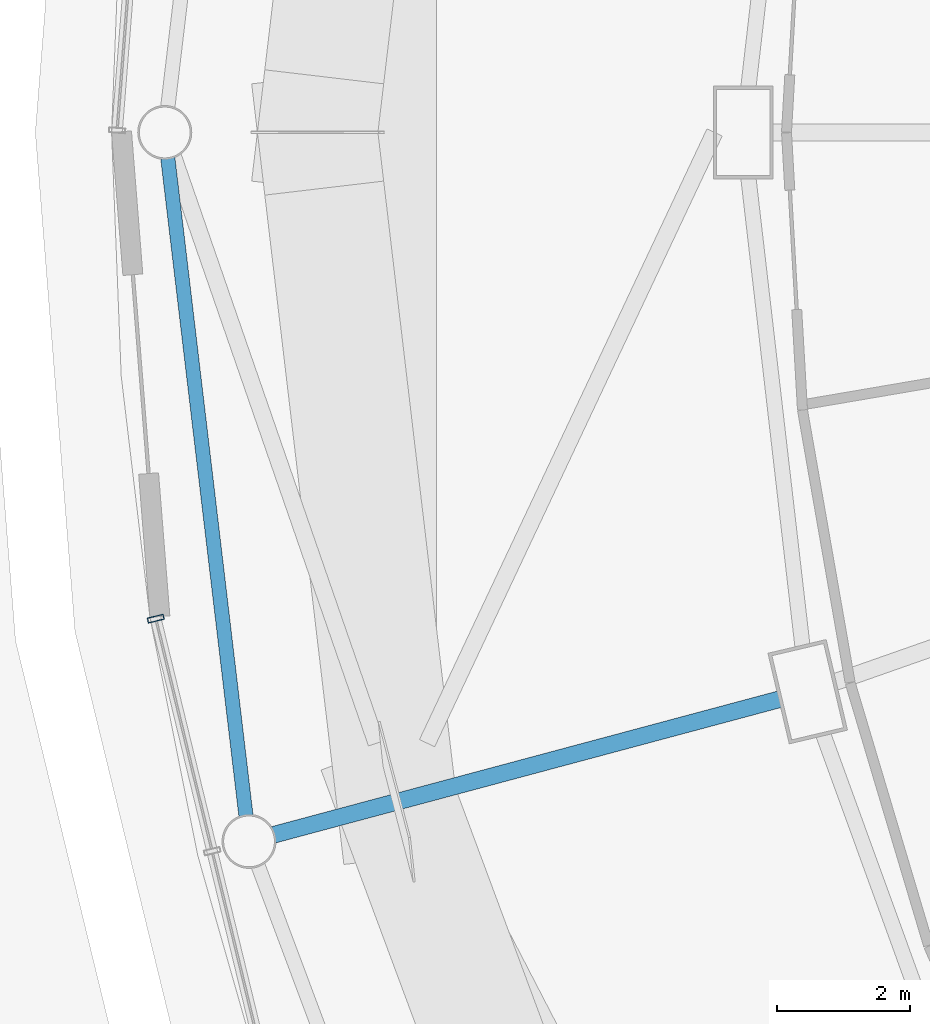
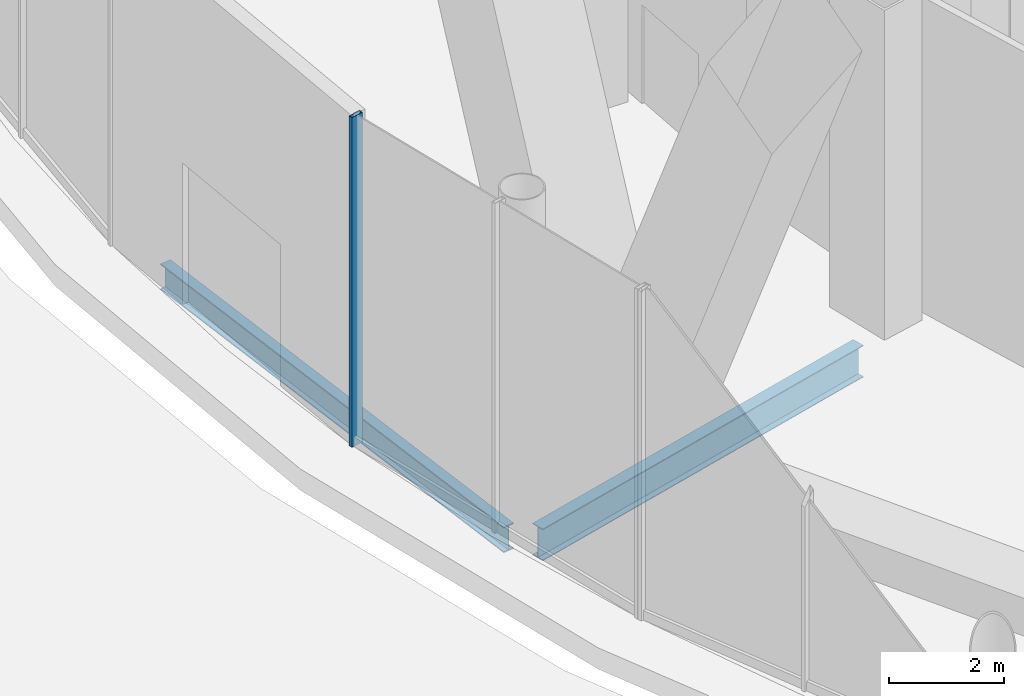
# One storey, part 22 of 67: 2 beams, 1 member, 1 element without a shape of its own.
"""IFC4 building model written with IfcOpenShell, lengths in metres."""

import ifcopenshell
import ifcopenshell.guid

model = None  # the IFC model being written
_history = None  # IfcOwnerHistory: only IFC2X3 demands one
_inside = {}  # id of a spatial element -> (the spatial element, [elements in it])
_under = {}  # id of a project, library or spatial element -> (it, [spatial elements below it])
_declared = {}  # id of a project -> (the project, [libraries it declares])
_typed = {}  # id of a type object -> (the type object, [elements of that type])
_made_of = {}  # id of a material, layer set ... -> (it, [elements and type objects made of it])


def new_model(schema):
    """Start an empty IFC model of exactly this schema.

    Asked for "IFC4X3", IfcOpenShell would pick the latest addendum, in which some entities
    have other attributes; the version numbers below select the first issue.
    IFC2X3 requires an IfcOwnerHistory on every rooted entity: one is made here for all.
    """
    global model, _history
    if schema == "IFC4X3":
        model = ifcopenshell.file(schema_version=(4, 3, 0, 0))
    else:
        model = ifcopenshell.file(schema=schema)
    _inside.clear()
    _under.clear()
    _declared.clear()
    _typed.clear()
    _made_of.clear()
    _history = None
    if model.schema == "IFC2X3":
        org = make("IfcOrganization", Name="unknown")
        user = make(
            "IfcPersonAndOrganization",
            ThePerson=make("IfcPerson", FamilyName="unknown"),
            TheOrganization=org,
        )
        app = make(
            "IfcApplication",
            ApplicationDeveloper=org,
            Version="unknown",
            ApplicationFullName="unknown",
            ApplicationIdentifier="unknown",
        )
        _history = make(
            "IfcOwnerHistory",
            OwningUser=user,
            OwningApplication=app,
            ChangeAction="ADDED",
            CreationDate=0,
        )
    return model


def make(cls, **values):
    """One entity of the class cls with the attributes given. An attribute that is None is left unset."""
    return model.create_entity(
        cls, **{name: value for name, value in values.items() if value is not None}
    )


def rooted(cls, **values):
    """An entity with a GlobalId (a new one), such as an element, a storey or a relation."""
    return make(cls, GlobalId=ifcopenshell.guid.new(), OwnerHistory=_history, **values)


def si_unit(unit_type, name, prefix=None):
    """IfcSIUnit, for example si_unit("LENGTHUNIT", "METRE", prefix="MILLI")."""
    return make("IfcSIUnit", UnitType=unit_type, Prefix=prefix, Name=name)


def assignment(units):
    """IfcUnitAssignment: the units of a project."""
    return None if units is None else make("IfcUnitAssignment", Units=units)


def point(xyz):
    """IfcCartesianPoint."""
    return None if xyz is None else make("IfcCartesianPoint", Coordinates=xyz)


def direction(xyz):
    """IfcDirection."""
    return None if xyz is None else make("IfcDirection", DirectionRatios=xyz)


def frame(location, z_axis=None, x_axis=None):
    """IfcAxis2Placement3D, a coordinate frame: its origin and axes. An axis left out is left unset."""
    return make(
        "IfcAxis2Placement3D",
        Location=point(location),
        Axis=direction(z_axis),
        RefDirection=direction(x_axis),
    )


def frame_2d(location, x_axis=None):
    """IfcAxis2Placement2D, a coordinate frame in the plane: its origin and x axis."""
    return make(
        "IfcAxis2Placement2D", Location=point(location), RefDirection=direction(x_axis)
    )


def origin():
    """The frame at (0, 0, 0) with its axes left unset."""
    return frame((0.0, 0.0, 0.0))


def origin_2d():
    """The frame at (0, 0) in the plane with its x axis left unset."""
    return frame_2d((0.0, 0.0))


def place(relative_to, where):
    """IfcLocalPlacement: puts the frame where relative to a parent placement (None: the world)."""
    return make(
        "IfcLocalPlacement", PlacementRelTo=relative_to, RelativePlacement=where
    )


def context(
    kind, dimensions, precision=None, world=None, true_north=None, identifier=None
):
    """IfcGeometricRepresentationContext, for example the 3D "Model" context."""
    return make(
        "IfcGeometricRepresentationContext",
        ContextIdentifier=identifier,
        ContextType=kind,
        CoordinateSpaceDimension=dimensions,
        Precision=precision,
        WorldCoordinateSystem=world,
        TrueNorth=true_north,
    )


def subcontext(parent, identifier, kind, view, scale=None):
    """IfcGeometricRepresentationSubContext, for example "Body" below "Model"."""
    return make(
        "IfcGeometricRepresentationSubContext",
        ContextIdentifier=identifier,
        ContextType=kind,
        ParentContext=parent,
        TargetScale=scale,
        TargetView=view,
    )


def project(units=None, contexts=None):
    """IfcProject with its units and contexts."""
    return rooted(
        "IfcProject",
        Name="project",
        RepresentationContexts=contexts,
        UnitsInContext=assignment(units),
    )


def spatial(cls, under=None, at=None, **own):
    """A site, building, storey or space (cls), placed at a placement, below another one or the project."""
    s = rooted(cls, ObjectPlacement=at, **own)
    if under is not None:
        _under.setdefault(under.id(), (under, []))[1].append(s)
    return s


def profile(cls, at=None, kind="AREA", **sizes):
    """A parametric profile (cls). Its sizes go by their IFC names, for example OverallWidth=200.0."""
    return make(cls, ProfileType=kind, Position=at, **sizes)


def hollow_rectangle(**sizes):
    """IfcRectangleHollowProfileDef."""
    return profile("IfcRectangleHollowProfileDef", **sizes)


def i_section(**sizes):
    """IfcIShapeProfileDef."""
    return profile("IfcIShapeProfileDef", **sizes)


def extrude(swept, where, along, depth):
    """IfcExtrudedAreaSolid: the profile swept, set in the frame where, extruded along a direction by depth."""
    return make(
        "IfcExtrudedAreaSolid",
        SweptArea=swept,
        Position=where,
        ExtrudedDirection=direction(along),
        Depth=depth,
    )


def shape(context_of_items, identifier, shape_type, items):
    """IfcShapeRepresentation: the items that make up one representation, for example the "Body"."""
    return make(
        "IfcShapeRepresentation",
        ContextOfItems=context_of_items,
        RepresentationIdentifier=identifier,
        RepresentationType=shape_type,
        Items=items,
    )


def material(Name=None, Category=None):
    """IfcMaterial."""
    return make("IfcMaterial", Name=Name, Category=Category)


def layer(
    of_material, thickness, ventilated=None, Name=None, Category=None, Priority=None
):
    """IfcMaterialLayer: one layer of a wall or slab, of a material (None: an air gap)."""
    return make(
        "IfcMaterialLayer",
        Material=of_material,
        LayerThickness=thickness,
        IsVentilated=ventilated,
        Name=Name,
        Category=Category,
        Priority=Priority,
    )


def layer_set(layers, Name=None):
    """IfcMaterialLayerSet."""
    return make("IfcMaterialLayerSet", MaterialLayers=layers, LayerSetName=Name)


def material_profile(
    of_material, cross_section, Name=None, Category=None, Priority=None
):
    """IfcMaterialProfile: a cross section and its material."""
    return make(
        "IfcMaterialProfile",
        Name=Name,
        Material=of_material,
        Profile=cross_section,
        Priority=Priority,
        Category=Category,
    )


def profile_set(profiles, Name=None, composite=None):
    """IfcMaterialProfileSet."""
    return make(
        "IfcMaterialProfileSet",
        Name=Name,
        MaterialProfiles=profiles,
        CompositeProfile=composite,
    )


def made_of(thing, what):
    """Note that an element or type object is made of a material, layer set ...; save() writes the relation."""
    if what is not None:
        _made_of.setdefault(what.id(), (what, []))[1].append(thing)
    return thing


def type_object(cls, material=None, **own):
    """A type object (cls), such as IfcWallType, which elements share."""
    return made_of(rooted(cls, **own), material)


def element(
    cls,
    number,
    at=None,
    inside=None,
    cuts=None,
    type_object=None,
    material=None,
    context=None,
    identifier="Body",
    shape_type=None,
    held_by="IfcProductDefinitionShape",
    body=None,
    shapes=None,
    **own,
):
    """One element of the class cls, such as IfcWall. Its Tag is "e" and its number.

    at: its placement. inside: the storey or other place that contains it. cuts: it is an
    opening in that element (IfcRelVoidsElement). A single representation is given by context,
    identifier, shape_type and body (its items); several are given by shapes. held_by: the class
    of the entity that holds the representations. save() writes the other relations.
    """
    e = rooted(cls, Tag="e%d" % number, ObjectPlacement=at, **own)
    if body is not None:
        shapes = [shape(context, identifier, shape_type, body)]
    if shapes is not None:
        e.Representation = make(held_by, Representations=shapes)
    if inside is not None:
        _inside.setdefault(inside.id(), (inside, []))[1].append(e)
    if cuts is not None:
        rooted(
            "IfcRelVoidsElement", RelatingBuildingElement=cuts, RelatedOpeningElement=e
        )
    if type_object is not None:
        _typed.setdefault(type_object.id(), (type_object, []))[1].append(e)
    return made_of(e, material)


def aggregate(whole, parts):
    """IfcRelAggregates: a whole, such as a stair, and the parts it consists of."""
    return rooted("IfcRelAggregates", RelatingObject=whole, RelatedObjects=parts)


def save(model, path):
    """Write the relations noted so far, then the file.

    IfcRelAggregates (storeys below a building ...), IfcRelContainedInSpatialStructure (elements
    in a storey), IfcRelDefinesByType, IfcRelAssociatesMaterial and IfcRelDeclares: one each for
    every whole, place, type object, material and project.
    """
    for whole, parts in _under.values():
        aggregate(whole, parts)
    for where, things in _inside.values():
        rooted(
            "IfcRelContainedInSpatialStructure",
            RelatedElements=things,
            RelatingStructure=where,
        )
    for kind, things in _typed.values():
        rooted("IfcRelDefinesByType", RelatedObjects=things, RelatingType=kind)
    for what, things in _made_of.values():
        rooted("IfcRelAssociatesMaterial", RelatedObjects=things, RelatingMaterial=what)
    for by, libraries in _declared.values():
        rooted("IfcRelDeclares", RelatingContext=by, RelatedDefinitions=libraries)
    model.write(path)


model = new_model("IFC4")

# Units and contexts
model_context = context("Model", 3, precision=1e-05, world=origin(), true_north=direction((0.0, 1.0)))
body_context = subcontext(model_context, "Body", "Model", "MODEL_VIEW")
ifc_project = project(units=[si_unit("LENGTHUNIT", "METRE"), si_unit("AREAUNIT", "SQUARE_METRE"), si_unit("VOLUMEUNIT", "CUBIC_METRE"), si_unit("PLANEANGLEUNIT", "RADIAN"), si_unit("MASSUNIT", "GRAM", prefix="KILO")], contexts=[model_context])

# Site, building, storey
site_placement = place(None, origin())
site = spatial("IfcSite", under=ifc_project, at=site_placement, CompositionType="ELEMENT")
building_placement = place(site_placement, origin())
building = spatial("IfcBuilding", under=site, at=building_placement, Name="Nagisa Residences", CompositionType="ELEMENT")
storey_placement = place(building_placement, origin())
storey = spatial("IfcBuildingStorey", under=building, at=storey_placement, Name="L00", CompositionType="ELEMENT", Elevation=0.0)

# Beams
ifc_material_1 = material(Name="Steel ASTM A572 Gr 50", Category="steel")
ifc_material_profile_1 = material_profile(ifc_material_1, i_section(OverallWidth=0.2529296875, OverallDepth=0.677978515625, WebThickness=0.01171875, FlangeThickness=0.016357421875, at=origin_2d()), Name="W690x125")
ifc_profile_set_1 = profile_set([ifc_material_profile_1], Name="Steel ASTM A572 Gr 50")
beam_type_1 = type_object("IfcBeamType", Name="Atrium outer beam W690x125", PredefinedType="BEAM", material=ifc_profile_set_1)
beam_1_placement = place(storey_placement, frame((-24.344482421875, -8.52294921875, -0.739013671875), z_axis=(-0.965928422324, -0.258809356376, 0.0), x_axis=(0.258809356376, -0.965928422324, 0.0)))
element("IfcBeam", 1, at=beam_1_placement, inside=storey, type_object=beam_type_1, Name="beam:L00:er14", PredefinedType="BEAM", context=body_context, shape_type="SweptSolid", body=[
    extrude(i_section(OverallWidth=0.2529296875, OverallDepth=0.677978515625, WebThickness=0.01171875, FlangeThickness=0.016357421875, at=origin_2d()), origin(), (0.0, 0.0, 1.0), 7.88330078125),
])
ifc_material_2 = material(Name="Steel ASTM A572 Gr 50", Category="steel")
ifc_material_profile_2 = material_profile(ifc_material_2, i_section(OverallWidth=0.214111328125, OverallDepth=0.549072265625, WebThickness=0.0146484375, FlangeThickness=0.023681640625, at=origin_2d()), Name="W530x138")
ifc_profile_set_2 = profile_set([ifc_material_profile_2], Name="Steel ASTM A572 Gr 50")
beam_type_2 = type_object("IfcBeamType", Name="Atrium ring beam W530x138", PredefinedType="BEAM", material=ifc_profile_set_2)
beam_2_placement = place(storey_placement, frame((-33.554443359375, -0.3837890625, -0.674560546875), z_axis=(0.118035165542, -0.993009415713, 0.0), x_axis=(0.993009415713, 0.118035165542, 0.0)))
element("IfcBeam", 2, at=beam_2_placement, inside=storey, type_object=beam_type_2, Name="beam:L00:ab13", PredefinedType="BEAM", context=body_context, shape_type="SweptSolid", body=[
    extrude(i_section(OverallWidth=0.214111328125, OverallDepth=0.549072265625, WebThickness=0.0146484375, FlangeThickness=0.023681640625, at=origin_2d()), origin(), (0.0, 0.0, 1.0), 9.96533203125),
])

# Curtain wall, member
ifc_material_3 = material(Name="Stainless steel curtain wall system", Category="steel")
ifc_layer = layer(ifc_material_3, 0.159912109375)
ifc_layer_set = layer_set([ifc_layer], Name="CW3 CURTAIN WALL")
curtain_wall_type = type_object("IfcCurtainWallType", Name="CW3 CURTAIN WALL", PredefinedType="NOTDEFINED", material=ifc_layer_set)
curtain_wall_placement = place(storey_placement, origin())
curtain_wall = element("IfcCurtainWall", 3, at=curtain_wall_placement, inside=storey, type_object=curtain_wall_type, Name="cw:CW3:L00:19", PredefinedType="NOTDEFINED")
ifc_material_4 = material(Name="Stainless steel", Category="steel")
ifc_material_profile_3 = material_profile(ifc_material_4, hollow_rectangle(XDim=0.25, YDim=0.080078125, WallThickness=0.008056640625, at=origin_2d()), Name="CW3 MULLION 250x80")
ifc_profile_set_3 = profile_set([ifc_material_profile_3], Name="Stainless steel")
member_type = type_object("IfcMemberType", Name="CW3 MULLION 250x80", PredefinedType="MULLION", material=ifc_profile_set_3)
member_placement = place(storey_placement, frame((-33.735595703125, -7.313232421875, 0.0), z_axis=(0.0, 0.0, 1.0), x_axis=(0.971848775146, 0.235605514043, 0.0)))
member = element("IfcMember", 4, at=member_placement, type_object=member_type, Name="CW3 mullion", PredefinedType="MULLION", context=body_context, shape_type="SweptSolid", body=[
    extrude(hollow_rectangle(XDim=0.25, YDim=0.080078125, WallThickness=0.008056640625, at=origin_2d()), origin(), (0.0, 0.0, 1.0), 7.0),
])
aggregate(curtain_wall, [member])

save(model, "model.ifc")
